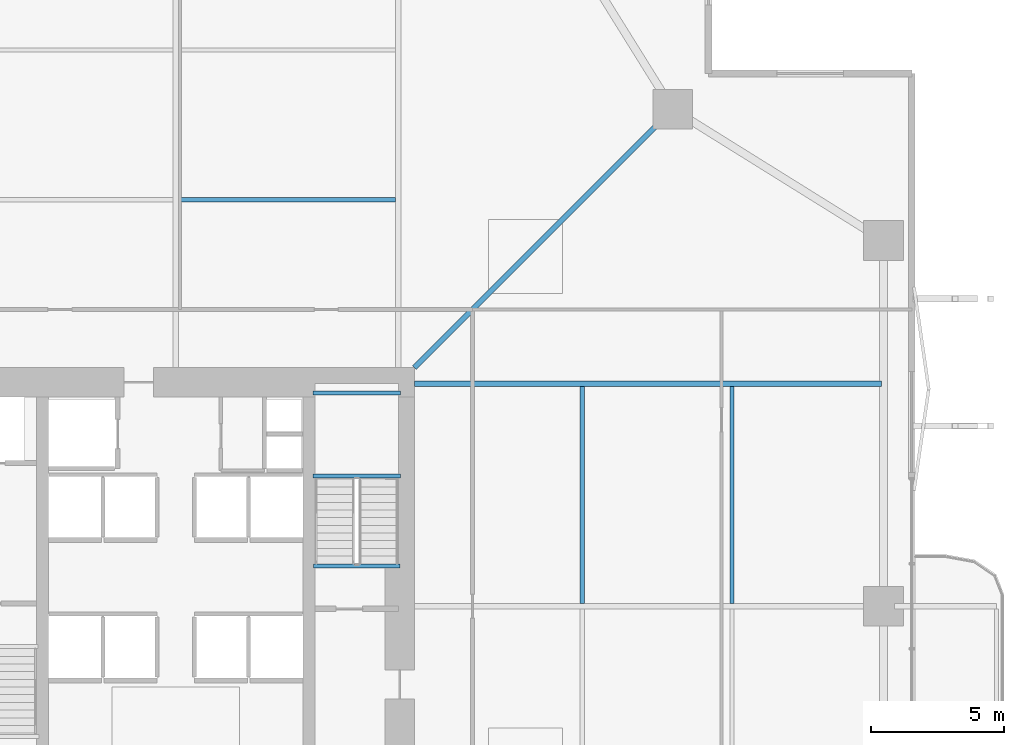
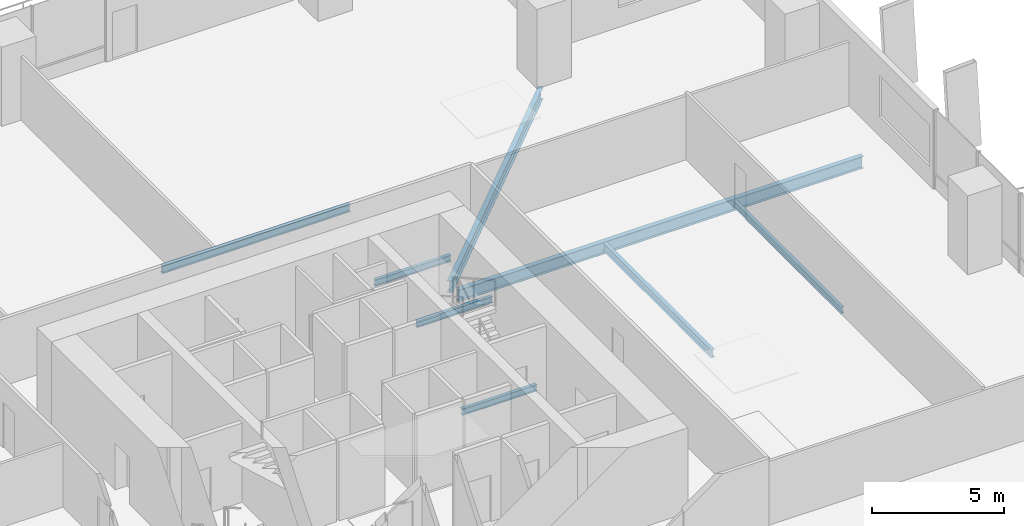
# One storey, part 12 of 23: 8 beams.
"""IFC4 building model written with IfcOpenShell, lengths in metres."""

from ifc_helpers import new_model, si_unit, direction, frame, origin, origin_2d, place, context, subcontext, project, spatial, i_section, extrude, material, material_profile, profile_set, type_object, element, save


model = new_model("IFC4")

# Units and contexts
model_context = context("Model", 3, precision=1e-05, world=origin(), true_north=direction((0.0, 1.0)))
body_context = subcontext(model_context, "Body", "Model", "MODEL_VIEW")
ifc_project = project(units=[si_unit("LENGTHUNIT", "METRE"), si_unit("AREAUNIT", "SQUARE_METRE"), si_unit("VOLUMEUNIT", "CUBIC_METRE"), si_unit("PLANEANGLEUNIT", "RADIAN"), si_unit("MASSUNIT", "GRAM", prefix="KILO")], contexts=[model_context])

# Site, building, storey
site_placement = place(None, origin())
site = spatial("IfcSite", under=ifc_project, at=site_placement, CompositionType="ELEMENT")
building_placement = place(site_placement, origin())
building = spatial("IfcBuilding", under=site, at=building_placement, Name="Belovzor Exchange Tower", CompositionType="ELEMENT")
storey_placement = place(building_placement, frame((0.0, 0.0, 53.39990234375)))
storey = spatial("IfcBuildingStorey", under=building, at=storey_placement, Name="L12", CompositionType="ELEMENT", Elevation=53.39990234375)

# Beams
ifc_material_1 = material(Name="Steel S355", Category="steel")
ifc_material_profile_1 = material_profile(ifc_material_1, i_section(OverallWidth=0.169921875, OverallDepth=0.360107421875, WebThickness=0.008056640625, FlangeThickness=0.0126953125, at=origin_2d()))
ifc_profile_set_1 = profile_set([ifc_material_profile_1], Name="Steel S355")
beam_type_1 = type_object("IfcBeamType", Name="Secondary Infill Floor Joist IPE 360", PredefinedType="BEAM", material=ifc_profile_set_1)
for number, where, z_axis, x_axis, name in (
    (1, (28.905029296875, 44.14501953125, -0.429931640625), (1.0, 0.0, 0.0), (0.0, 1.0, 0.0), "FJ-360 Secondary Infill Floor Joist IPE 360"),
    (2, (44.14501953125, 28.905029296875, -0.429931640625), (0.0, 1.0, 0.0), (-1.0, 0.0, 0.0), "FJ-360 Secondary Infill Floor Joist IPE 360"),
):
    element("IfcBeam", number, at=place(storey_placement, frame(where, z_axis=z_axis, x_axis=x_axis)), inside=storey, type_object=beam_type_1, Name=name, PredefinedType="BEAM", context=body_context, shape_type="SweptSolid", body=[
        extrude(i_section(OverallWidth=0.169921875, OverallDepth=0.360107421875, WebThickness=0.008056640625, FlangeThickness=0.0126953125, at=origin_2d()), origin(), (0.0, 0.0, 1.0), 8.18994140625),
    ])
ifc_material_2 = material(Name="Steel S355", Category="steel")
ifc_material_profile_2 = material_profile(ifc_material_2, i_section(OverallWidth=0.14990234375, OverallDepth=0.300048828125, WebThickness=0.007080078125, FlangeThickness=0.0107421875, at=origin_2d()))
ifc_profile_set_2 = profile_set([ifc_material_profile_2], Name="Steel S355")
beam_type_2 = type_object("IfcBeamType", Name="Secondary Trim Floor Joist IPE 300", PredefinedType="BEAM", material=ifc_profile_set_2)
for number, where, z_axis, x_axis, name in (
    (3, (37.280029296875, 33.7099609375, 1.60009765625), (-1.0, 0.0, 0.0), (0.0, -1.0, 0.0), "FJ-300 Secondary Trim Floor Joist IPE 300"),
    (4, (37.280029296875, 36.85009765625, 1.60009765625), (-1.0, 0.0, 0.0), (0.0, -1.0, 0.0), "FJ-300 Secondary Trim Floor Joist IPE 300"),
):
    element("IfcBeam", number, at=place(storey_placement, frame(where, z_axis=z_axis, x_axis=x_axis)), inside=storey, type_object=beam_type_2, Name=name, PredefinedType="BEAM", context=body_context, shape_type="SweptSolid", body=[
        extrude(i_section(OverallWidth=0.14990234375, OverallDepth=0.300048828125, WebThickness=0.007080078125, FlangeThickness=0.0107421875, at=origin_2d()), origin(), (0.0, 0.0, 1.0), 3.31005859375),
    ])
beam_1_placement = place(storey_placement, frame((37.260009765625, 30.320068359375, -0.39990234375), z_axis=(-1.0, 0.0, 0.0), x_axis=(0.0, -1.0, 0.0)))
element("IfcBeam", 5, at=beam_1_placement, inside=storey, type_object=beam_type_2, Name="FJ-300 Secondary Trim Floor Joist IPE 300", PredefinedType="BEAM", context=body_context, shape_type="SweptSolid", body=[
    extrude(i_section(OverallWidth=0.14990234375, OverallDepth=0.300048828125, WebThickness=0.007080078125, FlangeThickness=0.0107421875, at=origin_2d()), origin(), (0.0, 0.0, 1.0), 3.27001953125),
])
beam_2_placement = place(storey_placement, frame((49.784912109375, 28.905029296875, -0.39990234375), z_axis=(0.0, 1.0, 0.0), x_axis=(-1.0, 0.0, 0.0)))
element("IfcBeam", 6, at=beam_2_placement, inside=storey, type_object=beam_type_2, Name="FJ-300 Secondary Trim Floor Joist IPE 300", PredefinedType="BEAM", context=body_context, shape_type="SweptSolid", body=[
    extrude(i_section(OverallWidth=0.14990234375, OverallDepth=0.300048828125, WebThickness=0.007080078125, FlangeThickness=0.0107421875, at=origin_2d()), origin(), (0.0, 0.0, 1.0), 8.18994140625),
])
ifc_material_3 = material(Name="Steel S355", Category="steel")
ifc_material_profile_3 = material_profile(ifc_material_3, i_section(OverallWidth=0.2099609375, OverallDepth=0.550048828125, WebThickness=0.010986328125, FlangeThickness=0.01708984375, at=origin_2d()))
ifc_profile_set_3 = profile_set([ifc_material_profile_3], Name="Steel S355")
beam_type_3 = type_object("IfcBeamType", Name="Zone 1 Radial Composite Floor Beam IPE 550", PredefinedType="BEAM", material=ifc_profile_set_3)
beam_3_placement = place(storey_placement, frame((37.800048828125, 37.199951171875, -0.52490234375), z_axis=(1.0, 0.0, 0.0), x_axis=(0.0, 1.0, 0.0)))
element("IfcBeam", 7, at=beam_3_placement, inside=storey, type_object=beam_type_3, Name="FB-550 Zone 1 Radial Composite Floor Beam IPE 550", PredefinedType="BEAM", context=body_context, shape_type="SweptSolid", body=[
    extrude(i_section(OverallWidth=0.2099609375, OverallDepth=0.550048828125, WebThickness=0.010986328125, FlangeThickness=0.01708984375, at=origin_2d()), origin(), (0.0, 0.0, 1.0), 17.625),
])
beam_4_placement = place(storey_placement, frame((37.800048828125, 37.800048828125, -0.52490234375), z_axis=(0.707106781187, 0.707106781187, 0.0), x_axis=(-0.707106781187, 0.707106781187, 0.0)))
element("IfcBeam", 8, at=beam_4_placement, inside=storey, type_object=beam_type_3, Name="FB-550 Zone 1 Radial Composite Floor Beam IPE 550", PredefinedType="BEAM", context=body_context, shape_type="SweptSolid", body=[
    extrude(i_section(OverallWidth=0.2099609375, OverallDepth=0.550048828125, WebThickness=0.010986328125, FlangeThickness=0.01708984375, at=origin_2d()), origin(), (0.0, 0.0, 1.0), 13.25830078125),
])

save(model, "model.ifc")
